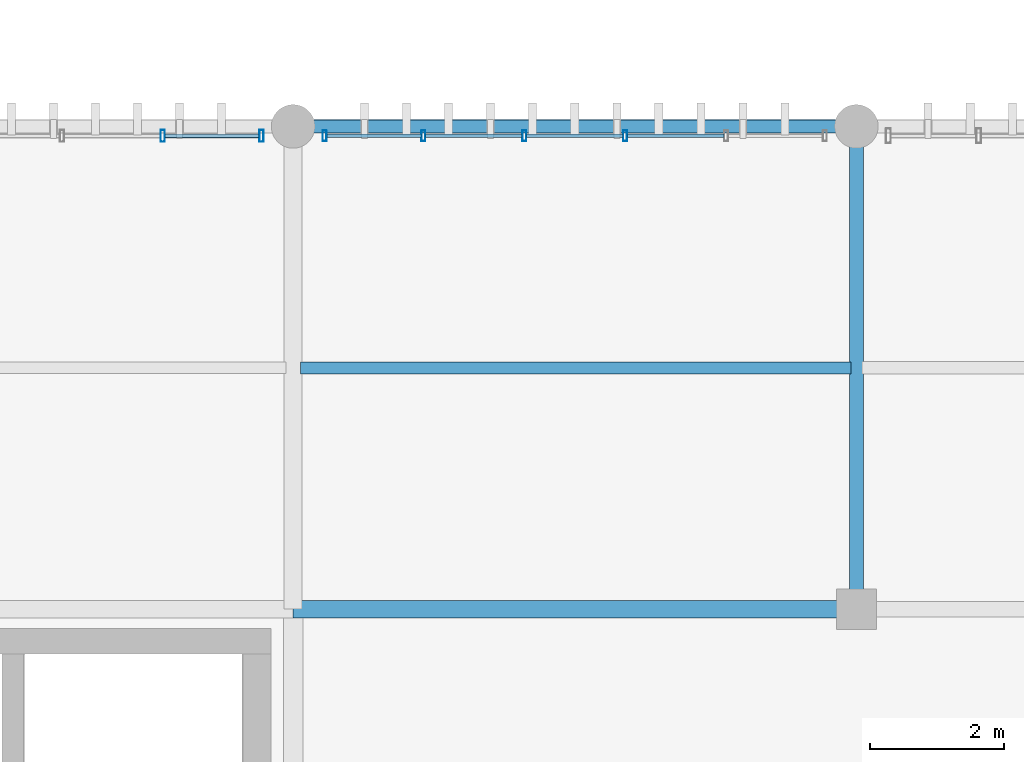
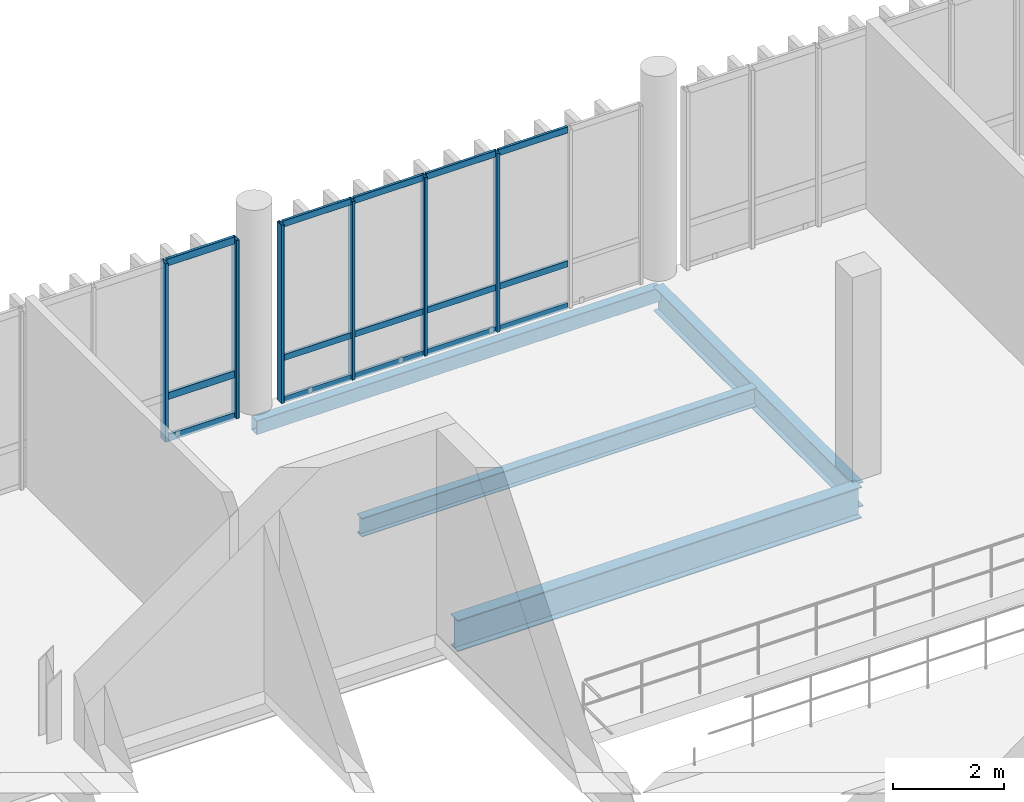
# One storey, part 30 of 66: 21 members, 4 beams, 2 elements without a shape of their own.
"""IFC4 building model written with IfcOpenShell, lengths in metres."""

from ifc_helpers import new_model, si_unit, direction, frame, origin_with_axes, origin_2d_with_axis, place, context, subcontext, project, spatial, hollow_rectangle, i_section, extrude, material, material_profile, profile_set, type_object, element, aggregate, save


model = new_model("IFC4")

# Units and contexts
model_context = context("Model", 3, precision=1e-05, world=origin_with_axes(), true_north=direction((0.0, 1.0)))
body_context = subcontext(model_context, "Body", "Model", "MODEL_VIEW")
ifc_project = project(units=[si_unit("LENGTHUNIT", "METRE"), si_unit("AREAUNIT", "SQUARE_METRE"), si_unit("VOLUMEUNIT", "CUBIC_METRE"), si_unit("PLANEANGLEUNIT", "RADIAN"), si_unit("MASSUNIT", "GRAM", prefix="KILO"), si_unit("THERMODYNAMICTEMPERATUREUNIT", "KELVIN")], contexts=[model_context])

# Site, building, storey
site_placement = place(None, origin_with_axes())
site = spatial("IfcSite", under=ifc_project, at=site_placement, CompositionType="ELEMENT")
building_placement = place(site_placement, origin_with_axes())
building = spatial("IfcBuilding", under=site, at=building_placement, Name="Montbau Bow Law Courts", CompositionType="ELEMENT")
storey_placement = place(building_placement, frame((0.0, 0.0, 34.5), z_axis=(0.0, 0.0, 1.0), x_axis=(1.0, 0.0, 0.0)))
storey = spatial("IfcBuildingStorey", under=building, at=storey_placement, Name="L07", CompositionType="ELEMENT", Elevation=34.5)

# Beams
ifc_material_1 = material(Name="Steel CSA G40.21 Grade 350W (350 MPa)", Category="steel")
ifc_material_profile_1 = material_profile(ifc_material_1, i_section(OverallWidth=0.254, OverallDepth=0.688, WebThickness=0.0131, FlangeThickness=0.0211, at=origin_2d_with_axis()), Name="W690X152", Category="Main", Priority=0)
ifc_profile_set_1 = profile_set([ifc_material_profile_1], Name="Steel CSA G40.21 Grade 350W (350 MPa)")
beam_type_1 = type_object("IfcBeamType", Name="B-FLR-04", PredefinedType="BEAM", material=ifc_profile_set_1)
beam_1_placement = place(None, frame((88.8, 54.6, 33.856), z_axis=(1.0, 0.0, 0.0), x_axis=(0.0, 1.0, 0.0)))
element("IfcBeam", 1, at=beam_1_placement, inside=storey, type_object=beam_type_1, Name="BM-L07-S1034:bm2_1037", PredefinedType="BEAM", context=body_context, shape_type="SweptSolid", body=[
    extrude(i_section(OverallWidth=0.254, OverallDepth=0.688, WebThickness=0.0131, FlangeThickness=0.0211, at=origin_2d_with_axis()), origin_with_axes(), (0.0, 0.0, 1.0), 8.4),
])
ifc_material_profile_2 = material_profile(ifc_material_1, i_section(OverallWidth=0.21, OverallDepth=0.537, WebThickness=0.0109, FlangeThickness=0.0174, at=origin_2d_with_axis()), Name="W530X101", Category="Main", Priority=0)
ifc_profile_set_2 = profile_set([ifc_material_profile_2], Name="Steel CSA G40.21 Grade 350W (350 MPa)")
beam_type_2 = type_object("IfcBeamType", Name="B-FLR-06", PredefinedType="BEAM", material=ifc_profile_set_2)
beam_2_placement = place(None, frame((97.2, 54.6, 33.931), z_axis=(0.0, 1.0, 0.0), x_axis=(-1.0, 0.0, 0.0)))
element("IfcBeam", 2, at=beam_2_placement, inside=storey, type_object=beam_type_2, Name="BM-L07-S1057:bm2_1060", PredefinedType="BEAM", context=body_context, shape_type="SweptSolid", body=[
    extrude(i_section(OverallWidth=0.21, OverallDepth=0.537, WebThickness=0.0109, FlangeThickness=0.0174, at=origin_2d_with_axis()), origin_with_axes(), (0.0, 0.0, 1.0), 7.2),
])
ifc_material_profile_3 = material_profile(ifc_material_1, i_section(OverallWidth=0.179, OverallDepth=0.41, WebThickness=0.0088, FlangeThickness=0.0144, at=origin_2d_with_axis()), Name="W410X67", Category="Main", Priority=0)
ifc_profile_set_3 = profile_set([ifc_material_profile_3], Name="Steel CSA G40.21 Grade 350W (350 MPa)")
beam_type_3 = type_object("IfcBeamType", Name="B-JST-02", PredefinedType="JOIST", material=ifc_profile_set_3)
beam_3_placement = place(None, frame((88.909, 58.2, 33.995), z_axis=(1.0, 0.0, 0.0), x_axis=(0.0, 1.0, 0.0)))
element("IfcBeam", 3, at=beam_3_placement, inside=storey, type_object=beam_type_3, Name="JST-L07-S0541:jst2_0541", PredefinedType="JOIST", context=body_context, shape_type="SweptSolid", body=[
    extrude(i_section(OverallWidth=0.179, OverallDepth=0.41, WebThickness=0.0088, FlangeThickness=0.0144, at=origin_2d_with_axis()), origin_with_axes(), (0.0, 0.0, 1.0), 8.21),
])
ifc_material_2 = material(Name="Steel CSA G40.21 Grade 350WT (350 MPa)", Category="steel")
ifc_material_profile_4 = material_profile(ifc_material_2, hollow_rectangle(XDim=0.203, YDim=0.305, WallThickness=0.0127, InnerFilletRadius=0.0254, OuterFilletRadius=0.0127, at=origin_2d_with_axis()), Name="HSS305X203X13", Category="Main", Priority=0)
ifc_profile_set_4 = profile_set([ifc_material_profile_4], Name="Steel CSA G40.21 Grade 350WT (350 MPa)")
beam_type_4 = type_object("IfcBeamType", Name="B-SPN-02", PredefinedType="SPANDREL", material=ifc_profile_set_4)
beam_4_placement = place(None, frame((88.8, 61.8, 34.047), z_axis=(1.0, 0.0, 0.0), x_axis=(0.0, 1.0, 0.0)))
element("IfcBeam", 4, at=beam_4_placement, inside=storey, type_object=beam_type_4, Name="SPN-L07-S1040:bm2_1043", PredefinedType="SPANDREL", context=body_context, shape_type="SweptSolid", body=[
    extrude(hollow_rectangle(XDim=0.203, YDim=0.305, WallThickness=0.0127, InnerFilletRadius=0.0254, OuterFilletRadius=0.0127, at=origin_2d_with_axis()), origin_with_axes(), (0.0, 0.0, 1.0), 8.4),
])

# Curtain wall, members
ifc_material_3 = material(Name="Thermally Broken Extruded Aluminium AA 6063-T6", Category="aluminium")
curtain_wall_type = type_object("IfcCurtainWallType", Name="CW-CRM-02", PredefinedType="NOTDEFINED", material=ifc_material_3)
curtain_wall_1_placement = place(None, frame((80.84, 61.66, 34.5), z_axis=(0.0, 0.0, 1.0), x_axis=(1.0, 0.0, 0.0)))
curtain_wall_1 = element("IfcCurtainWall", 5, at=curtain_wall_1_placement, inside=storey, type_object=curtain_wall_type, Name="CW-L07-250:cw_0250", PredefinedType="NOTDEFINED")
ifc_material_profile_5 = material_profile(ifc_material_3, hollow_rectangle(XDim=0.065, YDim=0.18, WallThickness=0.005, InnerFilletRadius=0.01, OuterFilletRadius=0.005, at=origin_2d_with_axis()), Name="CWM-180X65", Category="Main", Priority=0)
ifc_profile_set_5 = profile_set([ifc_material_profile_5], Name="Thermally Broken Extruded Aluminium AA 6063-T6")
member_type_1 = type_object("IfcMemberType", Name="M-MUL-02", PredefinedType="MULLION", material=ifc_profile_set_5)
member_1_placement = place(None, frame((86.856, 61.66, 34.5), z_axis=(0.0, 0.0, 1.0), x_axis=(1.0, 0.0, 0.0)))
member_1 = element("IfcMember", 6, at=member_1_placement, type_object=member_type_1, Name="CW-L07-250-M05:cw_0250_M05", PredefinedType="MULLION", context=body_context, shape_type="SweptSolid", body=[
    extrude(hollow_rectangle(XDim=0.065, YDim=0.18, WallThickness=0.005, InnerFilletRadius=0.01, OuterFilletRadius=0.005, at=origin_2d_with_axis()), origin_with_axes(), (0.0, 0.0, 1.0), 3.92),
])
member_2_placement = place(None, frame((88.327, 61.66, 34.5), z_axis=(0.0, 0.0, 1.0), x_axis=(1.0, 0.0, 0.0)))
member_2 = element("IfcMember", 7, at=member_2_placement, type_object=member_type_1, Name="CW-L07-250-M06:cw_0250_M06", PredefinedType="MULLION", context=body_context, shape_type="SweptSolid", body=[
    extrude(hollow_rectangle(XDim=0.065, YDim=0.18, WallThickness=0.005, InnerFilletRadius=0.01, OuterFilletRadius=0.005, at=origin_2d_with_axis()), origin_with_axes(), (0.0, 0.0, 1.0), 3.92),
])

curtain_wall_2_placement = place(None, frame((89.24, 61.66, 34.5), z_axis=(0.0, 0.0, 1.0), x_axis=(1.0, 0.0, 0.0)))
curtain_wall_2 = element("IfcCurtainWall", 8, at=curtain_wall_2_placement, inside=storey, type_object=curtain_wall_type, Name="CW-L07-251:cw_0251", PredefinedType="NOTDEFINED")
ifc_material_profile_6 = material_profile(ifc_material_3, hollow_rectangle(XDim=0.06, YDim=0.16, WallThickness=0.004, InnerFilletRadius=0.008, OuterFilletRadius=0.004, at=origin_2d_with_axis()), Name="CWM-160X60", Category="Main", Priority=0)
ifc_profile_set_6 = profile_set([ifc_material_profile_6], Name="Thermally Broken Extruded Aluminium AA 6063-T6")
member_type_2 = type_object("IfcMemberType", Name="M-MUL-03", PredefinedType="MULLION", material=ifc_profile_set_6)
member_3_placement = place(None, frame((89.27, 61.66, 34.5), z_axis=(0.0, 0.0, 1.0), x_axis=(1.0, 0.0, 0.0)))
member_3 = element("IfcMember", 9, at=member_3_placement, type_object=member_type_2, Name="CW-L07-251-M01:cw_0251_M01", PredefinedType="MULLION", context=body_context, shape_type="SweptSolid", body=[
    extrude(hollow_rectangle(XDim=0.06, YDim=0.16, WallThickness=0.004, InnerFilletRadius=0.008, OuterFilletRadius=0.004, at=origin_2d_with_axis()), origin_with_axes(), (0.0, 0.0, 1.0), 3.92),
])
member_4_placement = place(None, frame((90.744, 61.66, 34.5), z_axis=(0.0, 0.0, 1.0), x_axis=(1.0, 0.0, 0.0)))
member_4 = element("IfcMember", 10, at=member_4_placement, type_object=member_type_2, Name="CW-L07-251-M02:cw_0251_M02", PredefinedType="MULLION", context=body_context, shape_type="SweptSolid", body=[
    extrude(hollow_rectangle(XDim=0.06, YDim=0.16, WallThickness=0.004, InnerFilletRadius=0.008, OuterFilletRadius=0.004, at=origin_2d_with_axis()), origin_with_axes(), (0.0, 0.0, 1.0), 3.92),
])
member_5_placement = place(None, frame((92.248, 61.66, 34.5), z_axis=(0.0, 0.0, 1.0), x_axis=(1.0, 0.0, 0.0)))
member_5 = element("IfcMember", 11, at=member_5_placement, type_object=member_type_2, Name="CW-L07-251-M03:cw_0251_M03", PredefinedType="MULLION", context=body_context, shape_type="SweptSolid", body=[
    extrude(hollow_rectangle(XDim=0.06, YDim=0.16, WallThickness=0.004, InnerFilletRadius=0.008, OuterFilletRadius=0.004, at=origin_2d_with_axis()), origin_with_axes(), (0.0, 0.0, 1.0), 3.92),
])
member_6_placement = place(None, frame((93.752, 61.66, 34.5), z_axis=(0.0, 0.0, 1.0), x_axis=(1.0, 0.0, 0.0)))
member_6 = element("IfcMember", 12, at=member_6_placement, type_object=member_type_2, Name="CW-L07-251-M04:cw_0251_M04", PredefinedType="MULLION", context=body_context, shape_type="SweptSolid", body=[
    extrude(hollow_rectangle(XDim=0.06, YDim=0.16, WallThickness=0.004, InnerFilletRadius=0.008, OuterFilletRadius=0.004, at=origin_2d_with_axis()), origin_with_axes(), (0.0, 0.0, 1.0), 3.92),
])

# Member
ifc_material_profile_7 = material_profile(ifc_material_3, hollow_rectangle(XDim=0.06, YDim=0.16, WallThickness=0.004, InnerFilletRadius=0.008, OuterFilletRadius=0.004, at=origin_2d_with_axis()), Name="CWT-160X60", Category="Main", Priority=0)
ifc_profile_set_7 = profile_set([ifc_material_profile_7], Name="Thermally Broken Extruded Aluminium AA 6063-T6")
member_type_3 = type_object("IfcMemberType", Name="M-TRN-01", PredefinedType="USERDEFINED", material=ifc_profile_set_7)
member_7_placement = place(None, frame((86.89, 61.66, 34.53), z_axis=(1.0, 0.0, 0.0), x_axis=(0.0, 1.0, 0.0)))
member_7 = element("IfcMember", 13, at=member_7_placement, type_object=member_type_3, Name="CW-L07-250-T05-1:cw_0250_T05_1", ObjectType="TRANSOM", PredefinedType="USERDEFINED", context=body_context, shape_type="SweptSolid", body=[
    extrude(hollow_rectangle(XDim=0.06, YDim=0.16, WallThickness=0.004, InnerFilletRadius=0.008, OuterFilletRadius=0.004, at=origin_2d_with_axis()), origin_with_axes(), (0.0, 0.0, 1.0), 1.403),
])

member_8_placement = place(None, frame((86.89, 61.66, 35.45), z_axis=(1.0, 0.0, 0.0), x_axis=(0.0, 1.0, 0.0)))
member_8 = element("IfcMember", 14, at=member_8_placement, type_object=member_type_3, Name="CW-L07-250-T05-2:cw_0250_T05_2", ObjectType="TRANSOM", PredefinedType="USERDEFINED", context=body_context, shape_type="SweptSolid", body=[
    extrude(hollow_rectangle(XDim=0.06, YDim=0.16, WallThickness=0.004, InnerFilletRadius=0.008, OuterFilletRadius=0.004, at=origin_2d_with_axis()), origin_with_axes(), (0.0, 0.0, 1.0), 1.403),
])

member_9_placement = place(None, frame((86.89, 61.66, 38.39), z_axis=(1.0, 0.0, 0.0), x_axis=(0.0, 1.0, 0.0)))
member_9 = element("IfcMember", 15, at=member_9_placement, type_object=member_type_3, Name="CW-L07-250-T05-3:cw_0250_T05_3", ObjectType="TRANSOM", PredefinedType="USERDEFINED", context=body_context, shape_type="SweptSolid", body=[
    extrude(hollow_rectangle(XDim=0.06, YDim=0.16, WallThickness=0.004, InnerFilletRadius=0.008, OuterFilletRadius=0.004, at=origin_2d_with_axis()), origin_with_axes(), (0.0, 0.0, 1.0), 1.403),
])

aggregate(curtain_wall_1, [member_1, member_2, member_7, member_8, member_9])

ifc_material_profile_8 = material_profile(ifc_material_3, hollow_rectangle(XDim=0.055, YDim=0.14, WallThickness=0.004, InnerFilletRadius=0.008, OuterFilletRadius=0.004, at=origin_2d_with_axis()), Name="CWT-140X55", Category="Main", Priority=0)
ifc_profile_set_8 = profile_set([ifc_material_profile_8], Name="Thermally Broken Extruded Aluminium AA 6063-T6")
member_type_4 = type_object("IfcMemberType", Name="M-TRN-02", PredefinedType="USERDEFINED", material=ifc_profile_set_8)
member_10_placement = place(None, frame((89.302, 61.66, 34.528), z_axis=(1.0, 0.0, 0.0), x_axis=(0.0, 1.0, 0.0)))
member_10 = element("IfcMember", 16, at=member_10_placement, type_object=member_type_4, Name="CW-L07-251-T01-1:cw_0251_T01_1", ObjectType="TRANSOM", PredefinedType="USERDEFINED", context=body_context, shape_type="SweptSolid", body=[
    extrude(hollow_rectangle(XDim=0.055, YDim=0.14, WallThickness=0.004, InnerFilletRadius=0.008, OuterFilletRadius=0.004, at=origin_2d_with_axis()), origin_with_axes(), (0.0, 0.0, 1.0), 1.41),
])

member_11_placement = place(None, frame((89.302, 61.66, 35.45), z_axis=(1.0, 0.0, 0.0), x_axis=(0.0, 1.0, 0.0)))
member_11 = element("IfcMember", 17, at=member_11_placement, type_object=member_type_4, Name="CW-L07-251-T01-2:cw_0251_T01_2", ObjectType="TRANSOM", PredefinedType="USERDEFINED", context=body_context, shape_type="SweptSolid", body=[
    extrude(hollow_rectangle(XDim=0.055, YDim=0.14, WallThickness=0.004, InnerFilletRadius=0.008, OuterFilletRadius=0.004, at=origin_2d_with_axis()), origin_with_axes(), (0.0, 0.0, 1.0), 1.41),
])

member_12_placement = place(None, frame((89.302, 61.66, 38.392), z_axis=(1.0, 0.0, 0.0), x_axis=(0.0, 1.0, 0.0)))
member_12 = element("IfcMember", 18, at=member_12_placement, type_object=member_type_4, Name="CW-L07-251-T01-3:cw_0251_T01_3", ObjectType="TRANSOM", PredefinedType="USERDEFINED", context=body_context, shape_type="SweptSolid", body=[
    extrude(hollow_rectangle(XDim=0.055, YDim=0.14, WallThickness=0.004, InnerFilletRadius=0.008, OuterFilletRadius=0.004, at=origin_2d_with_axis()), origin_with_axes(), (0.0, 0.0, 1.0), 1.41),
])

member_13_placement = place(None, frame((90.776, 61.66, 34.528), z_axis=(1.0, 0.0, 0.0), x_axis=(0.0, 1.0, 0.0)))
member_13 = element("IfcMember", 19, at=member_13_placement, type_object=member_type_4, Name="CW-L07-251-T02-1:cw_0251_T02_1", ObjectType="TRANSOM", PredefinedType="USERDEFINED", context=body_context, shape_type="SweptSolid", body=[
    extrude(hollow_rectangle(XDim=0.055, YDim=0.14, WallThickness=0.004, InnerFilletRadius=0.008, OuterFilletRadius=0.004, at=origin_2d_with_axis()), origin_with_axes(), (0.0, 0.0, 1.0), 1.44),
])

member_14_placement = place(None, frame((90.776, 61.66, 35.45), z_axis=(1.0, 0.0, 0.0), x_axis=(0.0, 1.0, 0.0)))
member_14 = element("IfcMember", 20, at=member_14_placement, type_object=member_type_4, Name="CW-L07-251-T02-2:cw_0251_T02_2", ObjectType="TRANSOM", PredefinedType="USERDEFINED", context=body_context, shape_type="SweptSolid", body=[
    extrude(hollow_rectangle(XDim=0.055, YDim=0.14, WallThickness=0.004, InnerFilletRadius=0.008, OuterFilletRadius=0.004, at=origin_2d_with_axis()), origin_with_axes(), (0.0, 0.0, 1.0), 1.44),
])

member_15_placement = place(None, frame((90.776, 61.66, 38.392), z_axis=(1.0, 0.0, 0.0), x_axis=(0.0, 1.0, 0.0)))
member_15 = element("IfcMember", 21, at=member_15_placement, type_object=member_type_4, Name="CW-L07-251-T02-3:cw_0251_T02_3", ObjectType="TRANSOM", PredefinedType="USERDEFINED", context=body_context, shape_type="SweptSolid", body=[
    extrude(hollow_rectangle(XDim=0.055, YDim=0.14, WallThickness=0.004, InnerFilletRadius=0.008, OuterFilletRadius=0.004, at=origin_2d_with_axis()), origin_with_axes(), (0.0, 0.0, 1.0), 1.44),
])

member_16_placement = place(None, frame((92.28, 61.66, 34.528), z_axis=(1.0, 0.0, 0.0), x_axis=(0.0, 1.0, 0.0)))
member_16 = element("IfcMember", 22, at=member_16_placement, type_object=member_type_4, Name="CW-L07-251-T03-1:cw_0251_T03_1", ObjectType="TRANSOM", PredefinedType="USERDEFINED", context=body_context, shape_type="SweptSolid", body=[
    extrude(hollow_rectangle(XDim=0.055, YDim=0.14, WallThickness=0.004, InnerFilletRadius=0.008, OuterFilletRadius=0.004, at=origin_2d_with_axis()), origin_with_axes(), (0.0, 0.0, 1.0), 1.44),
])

member_17_placement = place(None, frame((92.28, 61.66, 35.45), z_axis=(1.0, 0.0, 0.0), x_axis=(0.0, 1.0, 0.0)))
member_17 = element("IfcMember", 23, at=member_17_placement, type_object=member_type_4, Name="CW-L07-251-T03-2:cw_0251_T03_2", ObjectType="TRANSOM", PredefinedType="USERDEFINED", context=body_context, shape_type="SweptSolid", body=[
    extrude(hollow_rectangle(XDim=0.055, YDim=0.14, WallThickness=0.004, InnerFilletRadius=0.008, OuterFilletRadius=0.004, at=origin_2d_with_axis()), origin_with_axes(), (0.0, 0.0, 1.0), 1.44),
])

member_18_placement = place(None, frame((92.28, 61.66, 38.392), z_axis=(1.0, 0.0, 0.0), x_axis=(0.0, 1.0, 0.0)))
member_18 = element("IfcMember", 24, at=member_18_placement, type_object=member_type_4, Name="CW-L07-251-T03-3:cw_0251_T03_3", ObjectType="TRANSOM", PredefinedType="USERDEFINED", context=body_context, shape_type="SweptSolid", body=[
    extrude(hollow_rectangle(XDim=0.055, YDim=0.14, WallThickness=0.004, InnerFilletRadius=0.008, OuterFilletRadius=0.004, at=origin_2d_with_axis()), origin_with_axes(), (0.0, 0.0, 1.0), 1.44),
])

member_19_placement = place(None, frame((93.784, 61.66, 34.528), z_axis=(1.0, 0.0, 0.0), x_axis=(0.0, 1.0, 0.0)))
member_19 = element("IfcMember", 25, at=member_19_placement, type_object=member_type_4, Name="CW-L07-251-T04-1:cw_0251_T04_1", ObjectType="TRANSOM", PredefinedType="USERDEFINED", context=body_context, shape_type="SweptSolid", body=[
    extrude(hollow_rectangle(XDim=0.055, YDim=0.14, WallThickness=0.004, InnerFilletRadius=0.008, OuterFilletRadius=0.004, at=origin_2d_with_axis()), origin_with_axes(), (0.0, 0.0, 1.0), 1.44),
])

member_20_placement = place(None, frame((93.784, 61.66, 35.45), z_axis=(1.0, 0.0, 0.0), x_axis=(0.0, 1.0, 0.0)))
member_20 = element("IfcMember", 26, at=member_20_placement, type_object=member_type_4, Name="CW-L07-251-T04-2:cw_0251_T04_2", ObjectType="TRANSOM", PredefinedType="USERDEFINED", context=body_context, shape_type="SweptSolid", body=[
    extrude(hollow_rectangle(XDim=0.055, YDim=0.14, WallThickness=0.004, InnerFilletRadius=0.008, OuterFilletRadius=0.004, at=origin_2d_with_axis()), origin_with_axes(), (0.0, 0.0, 1.0), 1.44),
])

member_21_placement = place(None, frame((93.784, 61.66, 38.392), z_axis=(1.0, 0.0, 0.0), x_axis=(0.0, 1.0, 0.0)))
member_21 = element("IfcMember", 27, at=member_21_placement, type_object=member_type_4, Name="CW-L07-251-T04-3:cw_0251_T04_3", ObjectType="TRANSOM", PredefinedType="USERDEFINED", context=body_context, shape_type="SweptSolid", body=[
    extrude(hollow_rectangle(XDim=0.055, YDim=0.14, WallThickness=0.004, InnerFilletRadius=0.008, OuterFilletRadius=0.004, at=origin_2d_with_axis()), origin_with_axes(), (0.0, 0.0, 1.0), 1.44),
])

aggregate(curtain_wall_2, [member_3, member_4, member_5, member_6, member_10, member_11, member_12, member_13, member_14, member_15, member_16, member_17, member_18, member_19, member_20, member_21])

save(model, "model.ifc")
